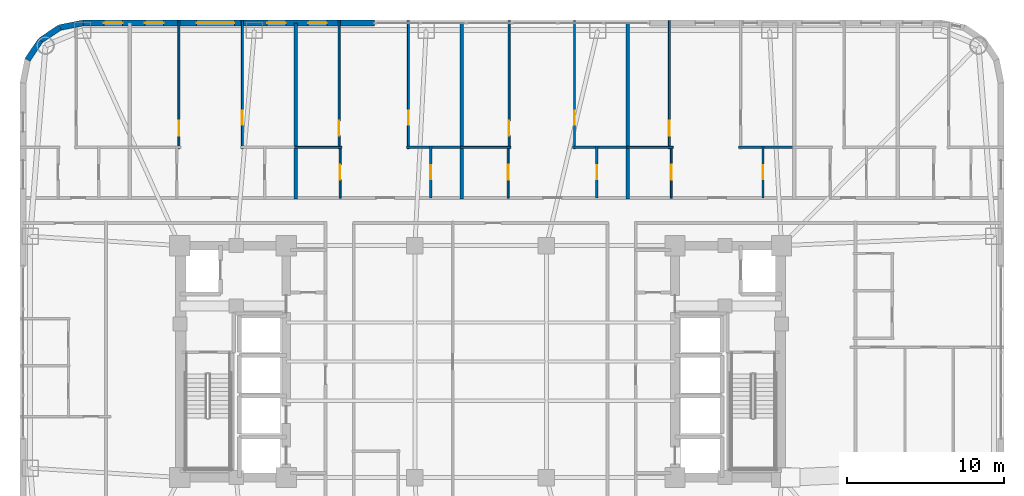
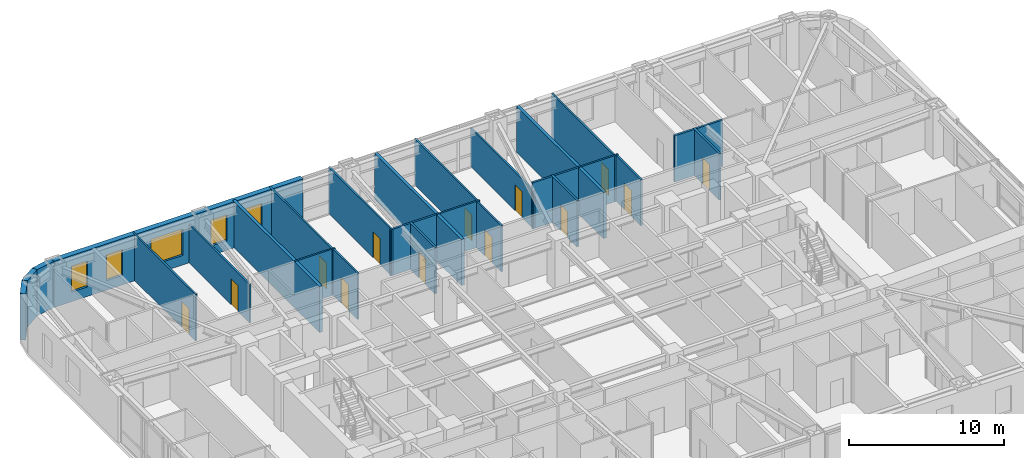
# One storey, part 25 of 28: 26 walls, 13 doors, 5 windows, 18 openings.
"""IFC4 building model written with IfcOpenShell, lengths in metres."""

from ifc_helpers import new_model, si_unit, direction, frame, frame_2d, origin, place, context, subcontext, project, spatial, rectangle, extrude, material, layer, layer_set, type_object, element, fill, save


model = new_model("IFC4")

# Units and contexts
model_context = context("Model", 3, precision=1e-05, world=origin(), true_north=direction((0.0, 1.0)))
body_context = subcontext(model_context, "Body", "Model", "MODEL_VIEW")
ifc_project = project(units=[si_unit("LENGTHUNIT", "METRE"), si_unit("AREAUNIT", "SQUARE_METRE"), si_unit("VOLUMEUNIT", "CUBIC_METRE"), si_unit("PLANEANGLEUNIT", "RADIAN"), si_unit("MASSUNIT", "GRAM", prefix="KILO")], contexts=[model_context])

# Site, building, storey
site_placement = place(None, origin())
site = spatial("IfcSite", under=ifc_project, at=site_placement, CompositionType="ELEMENT")
building_placement = place(site_placement, origin())
building = spatial("IfcBuilding", under=site, at=building_placement, Name="Voryun Gate Residences", CompositionType="ELEMENT")
storey_placement = place(building_placement, frame((0.0, 0.0, 117.0)))
storey = spatial("IfcBuildingStorey", under=building, at=storey_placement, Name="L28", CompositionType="ELEMENT", Elevation=117.0)

# Walls
ifc_material_1 = material(Name="Granite masonry", Category="masonry")
ifc_layer_1 = layer(ifc_material_1, 0.3798828125, Name="W_EXT_GRANITE_380")
ifc_layer_set_1 = layer_set([ifc_layer_1], Name="Granite masonry")
wall_type_1 = type_object("IfcWallType", Name="W_EXT_GRANITE_380", PredefinedType="ELEMENTEDWALL", material=ifc_layer_set_1)
wall_1_placement = place(storey_placement, frame((-28.91650390625, 19.256591796875, 0.0), z_axis=(0.0, 0.0, 1.0), x_axis=(0.555610286119, 0.831442848281, 0.0)))
element("IfcWall", 1, at=wall_1_placement, inside=storey, type_object=wall_type_1, Name="Exterior wall WEXT-L28-08", PredefinedType="ELEMENTEDWALL", context=body_context, shape_type="SweptSolid", body=[
    extrude(rectangle(XDim=1.485107421875, YDim=0.3798828125, at=frame_2d((0.74267578125, 0.0))), origin(), (0.0, 0.0, 1.0), 3.64990234375),
])
wall_2_placement = place(storey_placement, frame((-28.09130859375, 20.491455078125, 0.0), z_axis=(0.0, 0.0, 1.0), x_axis=(0.831468045563, 0.555572577804, 0.0)))
element("IfcWall", 2, at=wall_2_placement, inside=storey, type_object=wall_type_1, Name="Exterior wall WEXT-L28-09", PredefinedType="ELEMENTEDWALL", context=body_context, shape_type="SweptSolid", body=[
    extrude(rectangle(XDim=1.48486328125, YDim=0.3798828125, at=frame_2d((0.742431640625, 0.0))), origin(), (0.0, 0.0, 1.0), 3.64990234375),
])
wall_3_placement = place(storey_placement, frame((-26.856689453125, 21.31640625, 0.0), z_axis=(0.0, 0.0, 1.0), x_axis=(0.980755066645, 0.195242155415, 0.0)))
element("IfcWall", 3, at=wall_3_placement, inside=storey, type_object=wall_type_1, Name="Exterior wall WEXT-L28-10", PredefinedType="ELEMENTEDWALL", context=body_context, shape_type="SweptSolid", body=[
    extrude(rectangle(XDim=1.50439453125, YDim=0.3798828125, at=frame_2d((0.752197265625, 0.0))), origin(), (0.0, 0.0, 1.0), 3.64990234375),
])

# Wall, openings, windows
wall_4_placement = place(storey_placement, frame((-25.38134765625, 21.610107421875, 0.0), z_axis=(0.0, 0.0, 1.0), x_axis=(1.0, 0.0, 0.0)))
wall_4 = element("IfcWall", 4, at=wall_4_placement, inside=storey, type_object=wall_type_1, Name="Exterior wall WEXT-L28-11A", PredefinedType="ELEMENTEDWALL", context=body_context, shape_type="SweptSolid", body=[
    extrude(rectangle(XDim=18.619384765625, YDim=0.3798828125, at=frame_2d((9.3095703125, 0.0))), origin(), (0.0, 0.0, 1.0), 3.64990234375),
])
opening_1_placement = place(wall_4_placement, frame((7.259521484375, 0.0, 0.75)))
opening_1 = element("IfcOpeningElement", 5, at=opening_1_placement, cuts=wall_4, Name="Opening WN2", PredefinedType="OPENING", context=body_context, shape_type="SweptSolid", body=[
    extrude(rectangle(XDim=2.39990234375, YDim=2.10009765625, at=frame_2d((1.199951171875, 1.050048828125))), frame((0.0, 0.199951171875, 0.0), z_axis=(0.0, -1.0, 0.0), x_axis=(1.0, 0.0, 0.0)), (0.0, 0.0, 1.0), 0.39990234375),
])
opening_2_placement = place(wall_4_placement, frame((1.335693359375, 0.0, 0.75)))
opening_2 = element("IfcOpeningElement", 6, at=opening_2_placement, cuts=wall_4, Name="Opening WN6", PredefinedType="OPENING", context=body_context, shape_type="SweptSolid", body=[
    extrude(rectangle(XDim=1.199951171875, YDim=2.050048828125, at=frame_2d((0.60009765625, 1.02490234375))), frame((0.0, 0.199951171875, 0.0), z_axis=(0.0, -1.0, 0.0), x_axis=(1.0, 0.0, 0.0)), (0.0, 0.0, 1.0), 0.39990234375),
])
opening_3_placement = place(wall_4_placement, frame((3.951904296875, 0.0, 0.75)))
opening_3 = element("IfcOpeningElement", 7, at=opening_3_placement, cuts=wall_4, Name="Opening WN6", PredefinedType="OPENING", context=body_context, shape_type="SweptSolid", body=[
    extrude(rectangle(XDim=1.199951171875, YDim=2.050048828125, at=frame_2d((0.60009765625, 1.02490234375))), frame((0.0, 0.199951171875, 0.0), z_axis=(0.0, -1.0, 0.0), x_axis=(1.0, 0.0, 0.0)), (0.0, 0.0, 1.0), 0.39990234375),
])
opening_4_placement = place(wall_4_placement, frame((11.75634765625, 0.0, 0.75)))
opening_4 = element("IfcOpeningElement", 8, at=opening_4_placement, cuts=wall_4, Name="Opening WN6", PredefinedType="OPENING", context=body_context, shape_type="SweptSolid", body=[
    extrude(rectangle(XDim=1.199951171875, YDim=2.050048828125, at=frame_2d((0.60009765625, 1.02490234375))), frame((0.0, 0.199951171875, 0.0), z_axis=(0.0, -1.0, 0.0), x_axis=(1.0, 0.0, 0.0)), (0.0, 0.0, 1.0), 0.39990234375),
])
opening_5_placement = place(wall_4_placement, frame((14.36328125, 0.0, 0.75)))
opening_5 = element("IfcOpeningElement", 9, at=opening_5_placement, cuts=wall_4, Name="Opening WN6", PredefinedType="OPENING", context=body_context, shape_type="SweptSolid", body=[
    extrude(rectangle(XDim=1.199951171875, YDim=2.050048828125, at=frame_2d((0.60009765625, 1.02490234375))), frame((0.0, 0.199951171875, 0.0), z_axis=(0.0, -1.0, 0.0), x_axis=(1.0, 0.0, 0.0)), (0.0, 0.0, 1.0), 0.39990234375),
])
ifc_material_2 = material(Name="Laminated low-E glass", Category="glass")
window_type_1 = type_object("IfcWindowType", Name="WN_POD_SLOT_1200", PartitioningType="SINGLE_PANEL", PredefinedType="WINDOW", material=ifc_material_2)
window_1_placement = place(opening_2_placement, origin())
window_1 = element("IfcWindow", 10, at=window_1_placement, inside=storey, type_object=window_type_1, Name="Window WN-L28-DWFIX-02", OverallHeight=2.050048828125, OverallWidth=1.199951171875, PartitioningType="SINGLE_PANEL", PredefinedType="WINDOW", context=body_context, shape_type="SweptSolid", body=[
    extrude(rectangle(XDim=1.199951171875, YDim=2.050048828125, at=frame_2d((0.60009765625, 1.02490234375))), frame((0.0, 0.030029296875, 0.0), z_axis=(0.0, -1.0, 0.0), x_axis=(1.0, 0.0, 0.0)), (0.0, 0.0, 1.0), 0.06005859375),
])
fill(opening_2, window_1)
window_2_placement = place(opening_3_placement, origin())
window_2 = element("IfcWindow", 11, at=window_2_placement, inside=storey, type_object=window_type_1, Name="Window WN-L28-DWFIX-03", OverallHeight=2.050048828125, OverallWidth=1.199951171875, PartitioningType="SINGLE_PANEL", PredefinedType="WINDOW", context=body_context, shape_type="SweptSolid", body=[
    extrude(rectangle(XDim=1.199951171875, YDim=2.050048828125, at=frame_2d((0.60009765625, 1.02490234375))), frame((0.0, 0.030029296875, 0.0), z_axis=(0.0, -1.0, 0.0), x_axis=(1.0, 0.0, 0.0)), (0.0, 0.0, 1.0), 0.06005859375),
])
fill(opening_3, window_2)
window_3_placement = place(opening_4_placement, origin())
window_3 = element("IfcWindow", 12, at=window_3_placement, inside=storey, type_object=window_type_1, Name="Window WN-L28-DWFIX-04", OverallHeight=2.050048828125, OverallWidth=1.199951171875, PartitioningType="SINGLE_PANEL", PredefinedType="WINDOW", context=body_context, shape_type="SweptSolid", body=[
    extrude(rectangle(XDim=1.199951171875, YDim=2.050048828125, at=frame_2d((0.60009765625, 1.02490234375))), frame((0.0, 0.030029296875, 0.0), z_axis=(0.0, -1.0, 0.0), x_axis=(1.0, 0.0, 0.0)), (0.0, 0.0, 1.0), 0.06005859375),
])
fill(opening_4, window_3)
window_4_placement = place(opening_5_placement, origin())
window_4 = element("IfcWindow", 13, at=window_4_placement, inside=storey, type_object=window_type_1, Name="Window WN-L28-DWFIX-05", OverallHeight=2.050048828125, OverallWidth=1.199951171875, PartitioningType="SINGLE_PANEL", PredefinedType="WINDOW", context=body_context, shape_type="SweptSolid", body=[
    extrude(rectangle(XDim=1.199951171875, YDim=2.050048828125, at=frame_2d((0.60009765625, 1.02490234375))), frame((0.0, 0.030029296875, 0.0), z_axis=(0.0, -1.0, 0.0), x_axis=(1.0, 0.0, 0.0)), (0.0, 0.0, 1.0), 0.06005859375),
])
fill(opening_5, window_4)
ifc_material_3 = material(Name="Laminated low-E glass", Category="glass")
window_type_2 = type_object("IfcWindowType", Name="WN_RES_WIDE_2400", PartitioningType="SINGLE_PANEL", PredefinedType="WINDOW", material=ifc_material_3)
window_5_placement = place(opening_1_placement, origin())
window_5 = element("IfcWindow", 14, at=window_5_placement, inside=storey, type_object=window_type_2, Name="Window WN-WEXT-L28-11A-01", OverallHeight=2.10009765625, OverallWidth=2.39990234375, PartitioningType="SINGLE_PANEL", PredefinedType="WINDOW", context=body_context, shape_type="SweptSolid", body=[
    extrude(rectangle(XDim=2.39990234375, YDim=2.10009765625, at=frame_2d((1.199951171875, 1.050048828125))), frame((0.0, 0.030029296875, 0.0), z_axis=(0.0, -1.0, 0.0), x_axis=(1.0, 0.0, 0.0)), (0.0, 0.0, 1.0), 0.06005859375),
])
fill(opening_1, window_5)

# Walls
ifc_material_4 = material(Name="Concrete C40/50", Category="concrete")
ifc_layer_2 = layer(ifc_material_4, 0.219970703125, Name="W_PARTY_ACOUSTIC_220")
ifc_layer_set_2 = layer_set([ifc_layer_2], Name="Concrete C40/50")
wall_type_2 = type_object("IfcWallType", Name="W_PARTY_ACOUSTIC_220", PredefinedType="PARTITIONING", material=ifc_layer_set_2)
for number, where, z_axis, x_axis, name in (
    (15, (-11.800048828125, 10.3701171875, 0.0), (0.0, 0.0, 1.0), (0.0, 1.0, 0.0), "Partition wall WP-L28-NPTY-2"),
    (16, (-1.199951171875, 10.3701171875, 0.0), (0.0, 0.0, 1.0), (0.0, 1.0, 0.0), "Partition wall WP-L28-NPTY-3"),
    (17, (9.39990234375, 10.3701171875, 0.0), (0.0, 0.0, 1.0), (0.0, 1.0, 0.0), "Partition wall WP-L28-NPTY-4"),
):
    element("IfcWall", number, at=place(storey_placement, frame(where, z_axis=z_axis, x_axis=x_axis)), inside=storey, type_object=wall_type_2, Name=name, PredefinedType="PARTITIONING", context=body_context, shape_type="SweptSolid", body=[
        extrude(rectangle(XDim=11.239990234375, YDim=0.219970703125, at=frame_2d((5.6201171875, 0.0))), origin(), (0.0, 0.0, 1.0), 3.64990234375),
    ])

# Wall, opening, door
ifc_material_5 = material(Name="Gypsum acoustic partition")
ifc_layer_3 = layer(ifc_material_5, 0.125, Name="W_UNIT_PART_125")
ifc_layer_set_3 = layer_set([ifc_layer_3], Name="Gypsum acoustic partition")
wall_type_3 = type_object("IfcWallType", Name="W_UNIT_PART_125", PredefinedType="PARTITIONING", material=ifc_layer_set_3)
wall_5_placement = place(storey_placement, frame((-19.259033203125, 13.590087890625, 0.0), z_axis=(0.0, 0.0, 1.0), x_axis=(0.0, 1.0, 0.0)))
wall_5 = element("IfcWall", 18, at=wall_5_placement, inside=storey, type_object=wall_type_3, Name="Partition wall WP-L28-N2-OVL", PredefinedType="PARTITIONING", context=body_context, shape_type="SweptSolid", body=[
    extrude(rectangle(XDim=8.169921875, YDim=0.125, at=frame_2d((4.0849609375, 0.0))), origin(), (0.0, 0.0, 1.0), 3.64990234375),
])
opening_6_placement = place(wall_5_placement, frame((0.832275390625, 0.0, 0.0)))
opening_6 = element("IfcOpeningElement", 19, at=opening_6_placement, cuts=wall_5, Name="Opening D-INT-1", PredefinedType="OPENING", context=body_context, shape_type="SweptSolid", body=[
    extrude(rectangle(XDim=0.949951171875, YDim=2.050048828125, at=frame_2d((0.47509765625, 1.02490234375))), frame((0.0, 0.072509765625, 0.0), z_axis=(0.0, -1.0, 0.0), x_axis=(1.0, 0.0, 0.0)), (0.0, 0.0, 1.0), 0.14501953125),
])
ifc_material_6 = material(Name="Architectural oak veneer")
door_type_1 = type_object("IfcDoorType", Name="DR_INT_ROOM_950", OperationType="NOTDEFINED", PredefinedType="DOOR", material=ifc_material_6)
door_1_placement = place(opening_6_placement, origin())
door_1 = element("IfcDoor", 20, at=door_1_placement, inside=storey, type_object=door_type_1, Name="Door DR-L28-N2-DB2", OperationType="SINGLE_SWING_LEFT", OverallHeight=2.050048828125, OverallWidth=0.949951171875, PredefinedType="DOOR", context=body_context, shape_type="SweptSolid", body=[
    extrude(rectangle(XDim=0.949951171875, YDim=2.050048828125, at=frame_2d((0.47509765625, 1.02490234375))), frame((0.0, 0.02490234375, 0.0), z_axis=(0.0, -1.0, 0.0), x_axis=(1.0, 0.0, 0.0)), (0.0, 0.0, 1.0), 0.050048828125),
])
fill(opening_6, door_1)

wall_6_placement = place(storey_placement, frame((-15.2099609375, 13.590087890625, 0.0), z_axis=(0.0, 0.0, 1.0), x_axis=(0.0, 1.0, 0.0)))
wall_6 = element("IfcWall", 21, at=wall_6_placement, inside=storey, type_object=wall_type_3, Name="Partition wall WP-L28-N2-OVR", PredefinedType="PARTITIONING", context=body_context, shape_type="SweptSolid", body=[
    extrude(rectangle(XDim=8.169921875, YDim=0.125, at=frame_2d((4.0849609375, 0.0))), origin(), (0.0, 0.0, 1.0), 3.0400390625),
])
opening_7_placement = place(wall_6_placement, frame((1.5107421875, 0.0, 0.0)))
opening_7 = element("IfcOpeningElement", 22, at=opening_7_placement, cuts=wall_6, Name="Opening D-INT-2", PredefinedType="OPENING", context=body_context, shape_type="SweptSolid", body=[
    extrude(rectangle(XDim=0.89990234375, YDim=2.050048828125, at=frame_2d((0.449951171875, 1.02490234375))), frame((0.0, 0.072509765625, 0.0), z_axis=(0.0, -1.0, 0.0), x_axis=(1.0, 0.0, 0.0)), (0.0, 0.0, 1.0), 0.14501953125),
])
ifc_material_7 = material(Name="Architectural oak veneer")
door_type_2 = type_object("IfcDoorType", Name="DR_INT_BATH_900", OperationType="NOTDEFINED", PredefinedType="DOOR", material=ifc_material_7)
door_2_placement = place(opening_7_placement, origin())
door_2 = element("IfcDoor", 23, at=door_2_placement, inside=storey, type_object=door_type_2, Name="Door DR-L28-N2-DMB", OperationType="SINGLE_SWING_RIGHT", OverallHeight=2.050048828125, OverallWidth=0.89990234375, PredefinedType="DOOR", context=body_context, shape_type="SweptSolid", body=[
    extrude(rectangle(XDim=0.89990234375, YDim=2.050048828125, at=frame_2d((0.449951171875, 1.02490234375))), frame((0.0, 0.02490234375, 0.0), z_axis=(0.0, -1.0, 0.0), x_axis=(1.0, 0.0, 0.0)), (0.0, 0.0, 1.0), 0.050048828125),
])
fill(opening_7, door_2)

wall_7_placement = place(storey_placement, frame((-9.035888671875, 13.590087890625, 0.0), z_axis=(0.0, 0.0, 1.0), x_axis=(0.0, 1.0, 0.0)))
wall_7 = element("IfcWall", 24, at=wall_7_placement, inside=storey, type_object=wall_type_3, Name="Partition wall WP-L28-N3-OVL", PredefinedType="PARTITIONING", context=body_context, shape_type="SweptSolid", body=[
    extrude(rectangle(XDim=8.169921875, YDim=0.125, at=frame_2d((4.0849609375, 0.0))), origin(), (0.0, 0.0, 1.0), 3.64990234375),
])
opening_8_placement = place(wall_7_placement, frame((0.832275390625, 0.0, 0.0)))
opening_8 = element("IfcOpeningElement", 25, at=opening_8_placement, cuts=wall_7, Name="Opening D-INT-1", PredefinedType="OPENING", context=body_context, shape_type="SweptSolid", body=[
    extrude(rectangle(XDim=0.949951171875, YDim=2.050048828125, at=frame_2d((0.47509765625, 1.02490234375))), frame((0.0, 0.072509765625, 0.0), z_axis=(0.0, -1.0, 0.0), x_axis=(1.0, 0.0, 0.0)), (0.0, 0.0, 1.0), 0.14501953125),
])
door_3_placement = place(opening_8_placement, origin())
door_3 = element("IfcDoor", 26, at=door_3_placement, inside=storey, type_object=door_type_1, Name="Door DR-L28-N3-DB2", OperationType="SINGLE_SWING_LEFT", OverallHeight=2.050048828125, OverallWidth=0.949951171875, PredefinedType="DOOR", context=body_context, shape_type="SweptSolid", body=[
    extrude(rectangle(XDim=0.949951171875, YDim=2.050048828125, at=frame_2d((0.47509765625, 1.02490234375))), frame((0.0, 0.02490234375, 0.0), z_axis=(0.0, -1.0, 0.0), x_axis=(1.0, 0.0, 0.0)), (0.0, 0.0, 1.0), 0.050048828125),
])
fill(opening_8, door_3)

wall_8_placement = place(storey_placement, frame((-4.610107421875, 13.590087890625, 0.0), z_axis=(0.0, 0.0, 1.0), x_axis=(0.0, 1.0, 0.0)))
wall_8 = element("IfcWall", 27, at=wall_8_placement, inside=storey, type_object=wall_type_3, Name="Partition wall WP-L28-N3-OVR", PredefinedType="PARTITIONING", context=body_context, shape_type="SweptSolid", body=[
    extrude(rectangle(XDim=8.169921875, YDim=0.125, at=frame_2d((4.0849609375, 0.0))), origin(), (0.0, 0.0, 1.0), 3.64990234375),
])
opening_9_placement = place(wall_8_placement, frame((1.5107421875, 0.0, 0.0)))
opening_9 = element("IfcOpeningElement", 28, at=opening_9_placement, cuts=wall_8, Name="Opening D-INT-2", PredefinedType="OPENING", context=body_context, shape_type="SweptSolid", body=[
    extrude(rectangle(XDim=0.89990234375, YDim=2.050048828125, at=frame_2d((0.449951171875, 1.02490234375))), frame((0.0, 0.072509765625, 0.0), z_axis=(0.0, -1.0, 0.0), x_axis=(1.0, 0.0, 0.0)), (0.0, 0.0, 1.0), 0.14501953125),
])
door_4_placement = place(opening_9_placement, origin())
door_4 = element("IfcDoor", 29, at=door_4_placement, inside=storey, type_object=door_type_2, Name="Door DR-L28-N3-DMB", OperationType="SINGLE_SWING_RIGHT", OverallHeight=2.050048828125, OverallWidth=0.89990234375, PredefinedType="DOOR", context=body_context, shape_type="SweptSolid", body=[
    extrude(rectangle(XDim=0.89990234375, YDim=2.050048828125, at=frame_2d((0.449951171875, 1.02490234375))), frame((0.0, 0.02490234375, 0.0), z_axis=(0.0, -1.0, 0.0), x_axis=(1.0, 0.0, 0.0)), (0.0, 0.0, 1.0), 0.050048828125),
])
fill(opening_9, door_4)

wall_9_placement = place(storey_placement, frame((-8.972900390625, 10.429931640625, 0.0), z_axis=(0.0, 0.0, 1.0), x_axis=(0.0, 1.0, 0.0)))
wall_9 = element("IfcWall", 30, at=wall_9_placement, inside=storey, type_object=wall_type_3, Name="Partition wall WP-L28-N3-IVK", PredefinedType="PARTITIONING", context=body_context, shape_type="SweptSolid", body=[
    extrude(rectangle(XDim=3.320068359375, YDim=0.125, at=frame_2d((1.66015625, 0.0))), origin(), (0.0, 0.0, 1.0), 3.64990234375),
])
opening_10_placement = place(wall_9_placement, frame((1.18505859375, 0.0, 0.0)))
opening_10 = element("IfcOpeningElement", 31, at=opening_10_placement, cuts=wall_9, Name="Opening D-INT-1", PredefinedType="OPENING", context=body_context, shape_type="SweptSolid", body=[
    extrude(rectangle(XDim=0.949951171875, YDim=2.050048828125, at=frame_2d((0.47509765625, 1.02490234375))), frame((0.0, 0.072509765625, 0.0), z_axis=(0.0, -1.0, 0.0), x_axis=(1.0, 0.0, 0.0)), (0.0, 0.0, 1.0), 0.14501953125),
])
door_5_placement = place(opening_10_placement, origin())
door_5 = element("IfcDoor", 32, at=door_5_placement, inside=storey, type_object=door_type_1, Name="Door DR-L28-N3-DK", OperationType="SINGLE_SWING_LEFT", OverallHeight=2.050048828125, OverallWidth=0.949951171875, PredefinedType="DOOR", context=body_context, shape_type="SweptSolid", body=[
    extrude(rectangle(XDim=0.949951171875, YDim=2.050048828125, at=frame_2d((0.47509765625, 1.02490234375))), frame((0.0, 0.02490234375, 0.0), z_axis=(0.0, -1.0, 0.0), x_axis=(1.0, 0.0, 0.0)), (0.0, 0.0, 1.0), 0.050048828125),
])
fill(opening_10, door_5)

# Wall
wall_10_placement = place(storey_placement, frame((-11.875, 13.669921875, 0.0), z_axis=(0.0, 0.0, 1.0), x_axis=(1.0, 0.0, 0.0)))
element("IfcWall", 33, at=wall_10_placement, inside=storey, type_object=wall_type_3, Name="Partition wall WP-L28-N3-HZK", PredefinedType="PARTITIONING", context=body_context, shape_type="SweptSolid", body=[
    extrude(rectangle(XDim=3.02197265625, YDim=0.125, at=frame_2d((1.510986328125, 0.0))), origin(), (0.0, 0.0, 1.0), 3.64990234375),
])

# Wall, opening, door
wall_11_placement = place(storey_placement, frame((1.81494140625, 13.590087890625, 0.0), z_axis=(0.0, 0.0, 1.0), x_axis=(0.0, 1.0, 0.0)))
wall_11 = element("IfcWall", 34, at=wall_11_placement, inside=storey, type_object=wall_type_3, Name="Partition wall WP-L28-N4-OVL", PredefinedType="PARTITIONING", context=body_context, shape_type="SweptSolid", body=[
    extrude(rectangle(XDim=8.169921875, YDim=0.125, at=frame_2d((4.0849609375, 0.0))), origin(), (0.0, 0.0, 1.0), 3.64990234375),
])
opening_11_placement = place(wall_11_placement, frame((0.832275390625, 0.0, 0.0)))
opening_11 = element("IfcOpeningElement", 35, at=opening_11_placement, cuts=wall_11, Name="Opening D-INT-1", PredefinedType="OPENING", context=body_context, shape_type="SweptSolid", body=[
    extrude(rectangle(XDim=0.949951171875, YDim=2.050048828125, at=frame_2d((0.47509765625, 1.02490234375))), frame((0.0, 0.072509765625, 0.0), z_axis=(0.0, -1.0, 0.0), x_axis=(1.0, 0.0, 0.0)), (0.0, 0.0, 1.0), 0.14501953125),
])
door_6_placement = place(opening_11_placement, origin())
door_6 = element("IfcDoor", 36, at=door_6_placement, inside=storey, type_object=door_type_1, Name="Door DR-L28-N4-DB2", OperationType="SINGLE_SWING_LEFT", OverallHeight=2.050048828125, OverallWidth=0.949951171875, PredefinedType="DOOR", context=body_context, shape_type="SweptSolid", body=[
    extrude(rectangle(XDim=0.949951171875, YDim=2.050048828125, at=frame_2d((0.47509765625, 1.02490234375))), frame((0.0, 0.02490234375, 0.0), z_axis=(0.0, -1.0, 0.0), x_axis=(1.0, 0.0, 0.0)), (0.0, 0.0, 1.0), 0.050048828125),
])
fill(opening_11, door_6)

wall_12_placement = place(storey_placement, frame((5.989990234375, 13.590087890625, 0.0), z_axis=(0.0, 0.0, 1.0), x_axis=(0.0, 1.0, 0.0)))
wall_12 = element("IfcWall", 37, at=wall_12_placement, inside=storey, type_object=wall_type_3, Name="Partition wall WP-L28-N4-OVR", PredefinedType="PARTITIONING", context=body_context, shape_type="SweptSolid", body=[
    extrude(rectangle(XDim=8.169921875, YDim=0.125, at=frame_2d((4.0849609375, 0.0))), origin(), (0.0, 0.0, 1.0), 3.0400390625),
])
opening_12_placement = place(wall_12_placement, frame((1.5107421875, 0.0, 0.0)))
opening_12 = element("IfcOpeningElement", 38, at=opening_12_placement, cuts=wall_12, Name="Opening D-INT-2", PredefinedType="OPENING", context=body_context, shape_type="SweptSolid", body=[
    extrude(rectangle(XDim=0.89990234375, YDim=2.050048828125, at=frame_2d((0.449951171875, 1.02490234375))), frame((0.0, 0.072509765625, 0.0), z_axis=(0.0, -1.0, 0.0), x_axis=(1.0, 0.0, 0.0)), (0.0, 0.0, 1.0), 0.14501953125),
])
door_7_placement = place(opening_12_placement, origin())
door_7 = element("IfcDoor", 39, at=door_7_placement, inside=storey, type_object=door_type_2, Name="Door DR-L28-N4-DMB", OperationType="SINGLE_SWING_RIGHT", OverallHeight=2.050048828125, OverallWidth=0.89990234375, PredefinedType="DOOR", context=body_context, shape_type="SweptSolid", body=[
    extrude(rectangle(XDim=0.89990234375, YDim=2.050048828125, at=frame_2d((0.449951171875, 1.02490234375))), frame((0.0, 0.02490234375, 0.0), z_axis=(0.0, -1.0, 0.0), x_axis=(1.0, 0.0, 0.0)), (0.0, 0.0, 1.0), 0.050048828125),
])
fill(opening_12, door_7)

wall_13_placement = place(storey_placement, frame((1.751953125, 10.429931640625, 0.0), z_axis=(0.0, 0.0, 1.0), x_axis=(0.0, 1.0, 0.0)))
wall_13 = element("IfcWall", 40, at=wall_13_placement, inside=storey, type_object=wall_type_3, Name="Partition wall WP-L28-N4-IVK", PredefinedType="PARTITIONING", context=body_context, shape_type="SweptSolid", body=[
    extrude(rectangle(XDim=3.320068359375, YDim=0.125, at=frame_2d((1.66015625, 0.0))), origin(), (0.0, 0.0, 1.0), 3.64990234375),
])
opening_13_placement = place(wall_13_placement, frame((1.18505859375, 0.0, 0.0)))
opening_13 = element("IfcOpeningElement", 41, at=opening_13_placement, cuts=wall_13, Name="Opening D-INT-1", PredefinedType="OPENING", context=body_context, shape_type="SweptSolid", body=[
    extrude(rectangle(XDim=0.949951171875, YDim=2.050048828125, at=frame_2d((0.47509765625, 1.02490234375))), frame((0.0, 0.072509765625, 0.0), z_axis=(0.0, -1.0, 0.0), x_axis=(1.0, 0.0, 0.0)), (0.0, 0.0, 1.0), 0.14501953125),
])
door_8_placement = place(opening_13_placement, origin())
door_8 = element("IfcDoor", 42, at=door_8_placement, inside=storey, type_object=door_type_1, Name="Door DR-L28-N4-DK", OperationType="SINGLE_SWING_LEFT", OverallHeight=2.050048828125, OverallWidth=0.949951171875, PredefinedType="DOOR", context=body_context, shape_type="SweptSolid", body=[
    extrude(rectangle(XDim=0.949951171875, YDim=2.050048828125, at=frame_2d((0.47509765625, 1.02490234375))), frame((0.0, 0.02490234375, 0.0), z_axis=(0.0, -1.0, 0.0), x_axis=(1.0, 0.0, 0.0)), (0.0, 0.0, 1.0), 0.050048828125),
])
fill(opening_13, door_8)

# Wall
wall_14_placement = place(storey_placement, frame((-1.27490234375, 13.669921875, 0.0), z_axis=(0.0, 0.0, 1.0), x_axis=(1.0, 0.0, 0.0)))
element("IfcWall", 43, at=wall_14_placement, inside=storey, type_object=wall_type_3, Name="Partition wall WP-L28-N4-HZK", PredefinedType="PARTITIONING", context=body_context, shape_type="SweptSolid", body=[
    extrude(rectangle(XDim=3.2099609375, YDim=0.125, at=frame_2d((1.60498046875, 0.0))), origin(), (0.0, 0.0, 1.0), 3.64990234375),
])

# Wall, opening, door
wall_15_placement = place(storey_placement, frame((12.0380859375, 13.590087890625, 0.0), z_axis=(0.0, 0.0, 1.0), x_axis=(0.0, 1.0, 0.0)))
wall_15 = element("IfcWall", 44, at=wall_15_placement, inside=storey, type_object=wall_type_3, Name="Partition wall WP-L28-N5-OVL", PredefinedType="PARTITIONING", context=body_context, shape_type="SweptSolid", body=[
    extrude(rectangle(XDim=8.169921875, YDim=0.125, at=frame_2d((4.0849609375, 0.0))), origin(), (0.0, 0.0, 1.0), 3.64990234375),
])
opening_14_placement = place(wall_15_placement, frame((0.832275390625, 0.0, 0.0)))
opening_14 = element("IfcOpeningElement", 45, at=opening_14_placement, cuts=wall_15, Name="Opening D-INT-1", PredefinedType="OPENING", context=body_context, shape_type="SweptSolid", body=[
    extrude(rectangle(XDim=0.949951171875, YDim=2.050048828125, at=frame_2d((0.47509765625, 1.02490234375))), frame((0.0, 0.072509765625, 0.0), z_axis=(0.0, -1.0, 0.0), x_axis=(1.0, 0.0, 0.0)), (0.0, 0.0, 1.0), 0.14501953125),
])
door_9_placement = place(opening_14_placement, origin())
door_9 = element("IfcDoor", 46, at=door_9_placement, inside=storey, type_object=door_type_1, Name="Door DR-L28-N5-DB2", OperationType="SINGLE_SWING_LEFT", OverallHeight=2.050048828125, OverallWidth=0.949951171875, PredefinedType="DOOR", context=body_context, shape_type="SweptSolid", body=[
    extrude(rectangle(XDim=0.949951171875, YDim=2.050048828125, at=frame_2d((0.47509765625, 1.02490234375))), frame((0.0, 0.02490234375, 0.0), z_axis=(0.0, -1.0, 0.0), x_axis=(1.0, 0.0, 0.0)), (0.0, 0.0, 1.0), 0.050048828125),
])
fill(opening_14, door_9)

wall_16_placement = place(storey_placement, frame((12.1640625, 10.429931640625, 0.0), z_axis=(0.0, 0.0, 1.0), x_axis=(0.0, 1.0, 0.0)))
wall_16 = element("IfcWall", 47, at=wall_16_placement, inside=storey, type_object=wall_type_3, Name="Partition wall WP-L28-N5-IVK", PredefinedType="PARTITIONING", context=body_context, shape_type="SweptSolid", body=[
    extrude(rectangle(XDim=3.320068359375, YDim=0.125, at=frame_2d((1.66015625, 0.0))), origin(), (0.0, 0.0, 1.0), 3.64990234375),
])
opening_15_placement = place(wall_16_placement, frame((1.18505859375, 0.0, 0.0)))
opening_15 = element("IfcOpeningElement", 48, at=opening_15_placement, cuts=wall_16, Name="Opening D-INT-1", PredefinedType="OPENING", context=body_context, shape_type="SweptSolid", body=[
    extrude(rectangle(XDim=0.949951171875, YDim=2.050048828125, at=frame_2d((0.47509765625, 1.02490234375))), frame((0.0, 0.072509765625, 0.0), z_axis=(0.0, -1.0, 0.0), x_axis=(1.0, 0.0, 0.0)), (0.0, 0.0, 1.0), 0.14501953125),
])
door_10_placement = place(opening_15_placement, origin())
door_10 = element("IfcDoor", 49, at=door_10_placement, inside=storey, type_object=door_type_1, Name="Door DR-L28-N5-DK", OperationType="SINGLE_SWING_LEFT", OverallHeight=2.050048828125, OverallWidth=0.949951171875, PredefinedType="DOOR", context=body_context, shape_type="SweptSolid", body=[
    extrude(rectangle(XDim=0.949951171875, YDim=2.050048828125, at=frame_2d((0.47509765625, 1.02490234375))), frame((0.0, 0.02490234375, 0.0), z_axis=(0.0, -1.0, 0.0), x_axis=(1.0, 0.0, 0.0)), (0.0, 0.0, 1.0), 0.050048828125),
])
fill(opening_15, door_10)

# Walls
wall_17_placement = place(storey_placement, frame((9.324951171875, 13.669921875, 0.0), z_axis=(0.0, 0.0, 1.0), x_axis=(1.0, 0.0, 0.0)))
element("IfcWall", 50, at=wall_17_placement, inside=storey, type_object=wall_type_3, Name="Partition wall WP-L28-N5-HZK", PredefinedType="PARTITIONING", context=body_context, shape_type="SweptSolid", body=[
    extrude(rectangle(XDim=2.958984375, YDim=0.125, at=frame_2d((1.4794921875, 0.0))), origin(), (0.0, 0.0, 1.0), 3.64990234375),
])
ifc_material_8 = material(Name="Gypsum moisture-resistant partition")
ifc_layer_4 = layer(ifc_material_8, 0.14990234375, Name="W_WET_PLUMB_150")
ifc_layer_set_4 = layer_set([ifc_layer_4], Name="Gypsum moisture-resistant partition")
wall_type_4 = type_object("IfcWallType", Name="W_WET_PLUMB_150", PredefinedType="PLUMBINGWALL", material=ifc_layer_set_4)
wall_18_placement = place(storey_placement, frame((-4.72998046875, 13.669921875, 0.0), z_axis=(0.0, 0.0, 1.0), x_axis=(1.0, 0.0, 0.0)))
element("IfcWall", 51, at=wall_18_placement, inside=storey, type_object=wall_type_4, Name="Partition wall WP-L28-N3-HZB", PredefinedType="PLUMBINGWALL", context=body_context, shape_type="SweptSolid", body=[
    extrude(rectangle(XDim=3.60498046875, YDim=0.14990234375, at=frame_2d((1.802490234375, 0.0))), origin(), (0.0, 0.0, 1.0), 3.64990234375),
])

# Wall, opening, door
wall_19_placement = place(storey_placement, frame((-3.179931640625, 10.429931640625, 0.0), z_axis=(0.0, 0.0, 1.0), x_axis=(0.0, 1.0, 0.0)))
wall_19 = element("IfcWall", 52, at=wall_19_placement, inside=storey, type_object=wall_type_4, Name="Partition wall WP-L28-N3-IVB", PredefinedType="PLUMBINGWALL", context=body_context, shape_type="SweptSolid", body=[
    extrude(rectangle(XDim=3.320068359375, YDim=0.14990234375, at=frame_2d((1.66015625, 0.0))), origin(), (0.0, 0.0, 1.0), 3.64990234375),
])
opening_16_placement = place(wall_19_placement, frame((1.2099609375, 0.0, 0.0)))
opening_16 = element("IfcOpeningElement", 53, at=opening_16_placement, cuts=wall_19, Name="Opening D-INT-2", PredefinedType="OPENING", context=body_context, shape_type="SweptSolid", body=[
    extrude(rectangle(XDim=0.89990234375, YDim=2.050048828125, at=frame_2d((0.449951171875, 1.02490234375))), frame((0.0, 0.0849609375, 0.0), z_axis=(0.0, -1.0, 0.0), x_axis=(1.0, 0.0, 0.0)), (0.0, 0.0, 1.0), 0.169921875),
])
door_11_placement = place(opening_16_placement, origin())
door_11 = element("IfcDoor", 54, at=door_11_placement, inside=storey, type_object=door_type_2, Name="Door DR-L28-N3-DB", OperationType="SINGLE_SWING_RIGHT", OverallHeight=2.050048828125, OverallWidth=0.89990234375, PredefinedType="DOOR", context=body_context, shape_type="SweptSolid", body=[
    extrude(rectangle(XDim=0.89990234375, YDim=2.050048828125, at=frame_2d((0.449951171875, 1.02490234375))), frame((0.0, 0.02490234375, 0.0), z_axis=(0.0, -1.0, 0.0), x_axis=(1.0, 0.0, 0.0)), (0.0, 0.0, 1.0), 0.050048828125),
])
fill(opening_16, door_11)

# Wall
wall_20_placement = place(storey_placement, frame((5.8701171875, 13.669921875, 0.0), z_axis=(0.0, 0.0, 1.0), x_axis=(1.0, 0.0, 0.0)))
element("IfcWall", 55, at=wall_20_placement, inside=storey, type_object=wall_type_4, Name="Partition wall WP-L28-N4-HZB", PredefinedType="PLUMBINGWALL", context=body_context, shape_type="SweptSolid", body=[
    extrude(rectangle(XDim=3.60498046875, YDim=0.14990234375, at=frame_2d((1.802490234375, 0.0))), origin(), (0.0, 0.0, 1.0), 3.64990234375),
])

# Wall, opening, door
wall_21_placement = place(storey_placement, frame((7.419921875, 10.429931640625, 0.0), z_axis=(0.0, 0.0, 1.0), x_axis=(0.0, 1.0, 0.0)))
wall_21 = element("IfcWall", 56, at=wall_21_placement, inside=storey, type_object=wall_type_4, Name="Partition wall WP-L28-N4-IVB", PredefinedType="PLUMBINGWALL", context=body_context, shape_type="SweptSolid", body=[
    extrude(rectangle(XDim=3.320068359375, YDim=0.14990234375, at=frame_2d((1.66015625, 0.0))), origin(), (0.0, 0.0, 1.0), 3.64990234375),
])
opening_17_placement = place(wall_21_placement, frame((1.2099609375, 0.0, 0.0)))
opening_17 = element("IfcOpeningElement", 57, at=opening_17_placement, cuts=wall_21, Name="Opening D-INT-2", PredefinedType="OPENING", context=body_context, shape_type="SweptSolid", body=[
    extrude(rectangle(XDim=0.89990234375, YDim=2.050048828125, at=frame_2d((0.449951171875, 1.02490234375))), frame((0.0, 0.0849609375, 0.0), z_axis=(0.0, -1.0, 0.0), x_axis=(1.0, 0.0, 0.0)), (0.0, 0.0, 1.0), 0.169921875),
])
door_12_placement = place(opening_17_placement, origin())
door_12 = element("IfcDoor", 58, at=door_12_placement, inside=storey, type_object=door_type_2, Name="Door DR-L28-N4-DB", OperationType="SINGLE_SWING_RIGHT", OverallHeight=2.050048828125, OverallWidth=0.89990234375, PredefinedType="DOOR", context=body_context, shape_type="SweptSolid", body=[
    extrude(rectangle(XDim=0.89990234375, YDim=2.050048828125, at=frame_2d((0.449951171875, 1.02490234375))), frame((0.0, 0.02490234375, 0.0), z_axis=(0.0, -1.0, 0.0), x_axis=(1.0, 0.0, 0.0)), (0.0, 0.0, 1.0), 0.050048828125),
])
fill(opening_17, door_12)

# Wall
wall_22_placement = place(storey_placement, frame((16.469970703125, 13.669921875, 0.0), z_axis=(0.0, 0.0, 1.0), x_axis=(1.0, 0.0, 0.0)))
element("IfcWall", 59, at=wall_22_placement, inside=storey, type_object=wall_type_4, Name="Partition wall WP-L28-N5-HZB", PredefinedType="PLUMBINGWALL", context=body_context, shape_type="SweptSolid", body=[
    extrude(rectangle(XDim=3.60498046875, YDim=0.14990234375, at=frame_2d((1.802490234375, 0.0))), origin(), (0.0, 0.0, 1.0), 3.64990234375),
])

# Wall, opening, door
wall_23_placement = place(storey_placement, frame((18.02001953125, 10.429931640625, 0.0), z_axis=(0.0, 0.0, 1.0), x_axis=(0.0, 1.0, 0.0)))
wall_23 = element("IfcWall", 60, at=wall_23_placement, inside=storey, type_object=wall_type_4, Name="Partition wall WP-L28-N5-IVB", PredefinedType="PLUMBINGWALL", context=body_context, shape_type="SweptSolid", body=[
    extrude(rectangle(XDim=3.320068359375, YDim=0.14990234375, at=frame_2d((1.66015625, 0.0))), origin(), (0.0, 0.0, 1.0), 3.64990234375),
])
opening_18_placement = place(wall_23_placement, frame((1.2099609375, 0.0, 0.0)))
opening_18 = element("IfcOpeningElement", 61, at=opening_18_placement, cuts=wall_23, Name="Opening D-INT-2", PredefinedType="OPENING", context=body_context, shape_type="SweptSolid", body=[
    extrude(rectangle(XDim=0.89990234375, YDim=2.050048828125, at=frame_2d((0.449951171875, 1.02490234375))), frame((0.0, 0.0849609375, 0.0), z_axis=(0.0, -1.0, 0.0), x_axis=(1.0, 0.0, 0.0)), (0.0, 0.0, 1.0), 0.169921875),
])
door_13_placement = place(opening_18_placement, origin())
door_13 = element("IfcDoor", 62, at=door_13_placement, inside=storey, type_object=door_type_2, Name="Door DR-L28-N5-DB", OperationType="SINGLE_SWING_RIGHT", OverallHeight=2.050048828125, OverallWidth=0.89990234375, PredefinedType="DOOR", context=body_context, shape_type="SweptSolid", body=[
    extrude(rectangle(XDim=0.89990234375, YDim=2.050048828125, at=frame_2d((0.449951171875, 1.02490234375))), frame((0.0, 0.02490234375, 0.0), z_axis=(0.0, -1.0, 0.0), x_axis=(1.0, 0.0, 0.0)), (0.0, 0.0, 1.0), 0.050048828125),
])
fill(opening_18, door_13)

save(model, "model.ifc")
